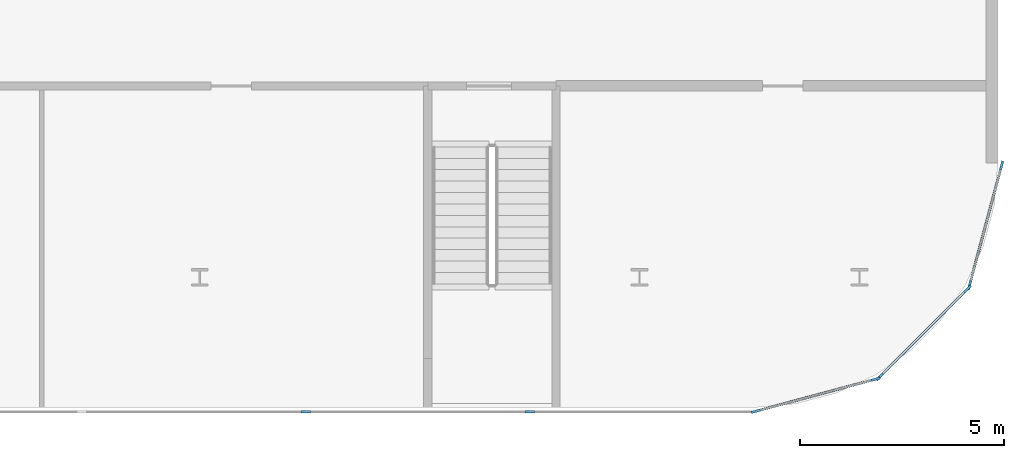
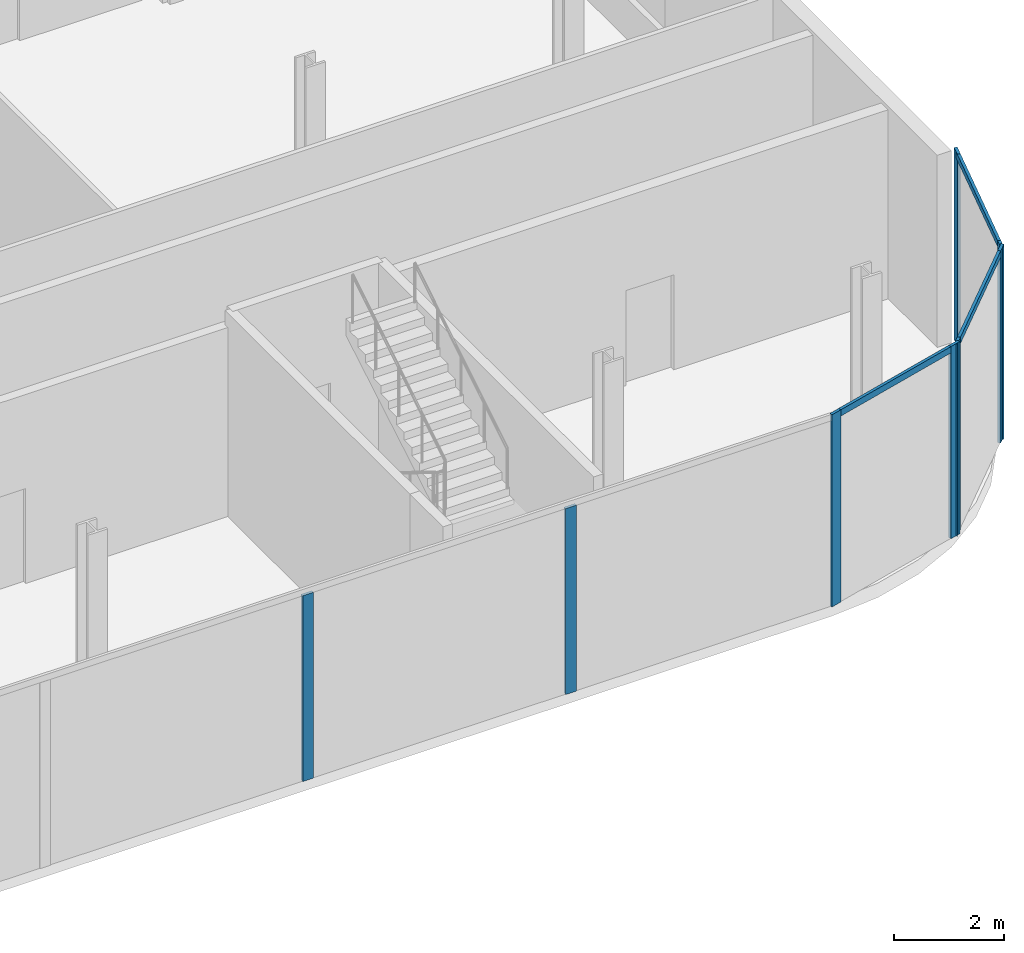
# One storey, part 13 of 47: 11 members, 4 elements without a shape of their own.
"""IFC4 building model written with IfcOpenShell, lengths in metres."""

from ifc_helpers import new_model, si_unit, direction, frame, origin, origin_2d, place, context, subcontext, project, spatial, rectangle, extrude, material, layer, layer_set, material_profile, profile_set, type_object, element, aggregate, save


model = new_model("IFC4")

# Units and contexts
model_context = context("Model", 3, precision=1e-05, world=origin(), true_north=direction((0.0, 1.0)))
body_context = subcontext(model_context, "Body", "Model", "MODEL_VIEW")
ifc_project = project(units=[si_unit("LENGTHUNIT", "METRE"), si_unit("AREAUNIT", "SQUARE_METRE"), si_unit("VOLUMEUNIT", "CUBIC_METRE"), si_unit("PLANEANGLEUNIT", "RADIAN"), si_unit("MASSUNIT", "GRAM", prefix="KILO")], contexts=[model_context])

# Site, building, storey
site_placement = place(None, origin())
site = spatial("IfcSite", under=ifc_project, at=site_placement, CompositionType="ELEMENT")
building_placement = place(site_placement, origin())
building = spatial("IfcBuilding", under=site, at=building_placement, Name="Kheshtan School and Residences Tower", CompositionType="ELEMENT")
storey_placement = place(building_placement, frame((0.0, 0.0, 17.0)))
storey = spatial("IfcBuildingStorey", under=building, at=storey_placement, Name="L03", CompositionType="ELEMENT", Elevation=17.0)

# Curtain wall, members
ifc_material_1 = material(Name="Clear low-e glass in thermally broken aluminium frame", Category="aluminium")
ifc_layer = layer(ifc_material_1, 0.22509765625)
ifc_layer_set = layer_set([ifc_layer], Name="Curtain wall CW-P")
curtain_wall_type = type_object("IfcCurtainWallType", Name="Curtain wall CW-P", PredefinedType="NOTDEFINED", material=ifc_layer_set)
curtain_wall_1_placement = place(storey_placement, origin())
curtain_wall_1 = element("IfcCurtainWall", 1, at=curtain_wall_1_placement, inside=storey, type_object=curtain_wall_type, Name="Curtain wall CWP9a", PredefinedType="NOTDEFINED")
ifc_material_2 = material(Name="Thermally broken aluminium, dark bronze anodised", Category="aluminium")
ifc_material_profile_1 = material_profile(ifc_material_2, rectangle(XDim=0.06005859375, YDim=0.22509765625, at=origin_2d()), Name="CW-P mullion 60x225")
ifc_profile_set_1 = profile_set([ifc_material_profile_1], Name="Thermally broken aluminium, dark bronze anodised")
member_type_1 = type_object("IfcMemberType", Name="CW-P mullion 60x225", PredefinedType="MULLION", material=ifc_profile_set_1)
member_1_placement = place(storey_placement, frame((132.0888671875, 15.945068359375, 0.0), z_axis=(0.0, 0.0, 1.0), x_axis=(0.965913556273, -0.258864833085, 0.0)))
member_1 = element("IfcMember", 2, at=member_1_placement, type_object=member_type_1, Name="CWP9a mullion 1", PredefinedType="MULLION", context=body_context, shape_type="SweptSolid", body=[
    extrude(rectangle(XDim=0.06005859375, YDim=0.22509765625, at=origin_2d()), origin(), (0.0, 0.0, 1.0), 4.25),
])
member_2_placement = place(storey_placement, frame((131.30029296875, 13.003173828125, 0.0), z_axis=(0.0, 0.0, 1.0), x_axis=(0.965913556273, -0.258864833085, 0.0)))
member_2 = element("IfcMember", 3, at=member_2_placement, type_object=member_type_1, Name="CWP9a mullion 2", PredefinedType="MULLION", context=body_context, shape_type="SweptSolid", body=[
    extrude(rectangle(XDim=0.06005859375, YDim=0.22509765625, at=origin_2d()), origin(), (0.0, 0.0, 1.0), 4.25),
])

curtain_wall_2_placement = place(storey_placement, origin())
curtain_wall_2 = element("IfcCurtainWall", 4, at=curtain_wall_2_placement, inside=storey, type_object=curtain_wall_type, Name="Curtain wall CWP10a", PredefinedType="NOTDEFINED")
member_3_placement = place(storey_placement, frame((131.24560546875, 12.907958984375, 0.0), z_axis=(0.0, 0.0, 1.0), x_axis=(0.707106781187, -0.707106781187, 0.0)))
member_3 = element("IfcMember", 5, at=member_3_placement, type_object=member_type_1, Name="CWP10a mullion 1", PredefinedType="MULLION", context=body_context, shape_type="SweptSolid", body=[
    extrude(rectangle(XDim=0.06005859375, YDim=0.22509765625, at=origin_2d()), origin(), (0.0, 0.0, 1.0), 4.25),
])
member_4_placement = place(storey_placement, frame((129.092041015625, 10.75439453125, 0.0), z_axis=(0.0, 0.0, 1.0), x_axis=(0.707106781187, -0.707106781187, 0.0)))
member_4 = element("IfcMember", 6, at=member_4_placement, type_object=member_type_1, Name="CWP10a mullion 2", PredefinedType="MULLION", context=body_context, shape_type="SweptSolid", body=[
    extrude(rectangle(XDim=0.06005859375, YDim=0.22509765625, at=origin_2d()), origin(), (0.0, 0.0, 1.0), 4.25),
])

curtain_wall_3_placement = place(storey_placement, origin())
curtain_wall_3 = element("IfcCurtainWall", 7, at=curtain_wall_3_placement, inside=storey, type_object=curtain_wall_type, Name="Curtain wall CWP11a", PredefinedType="NOTDEFINED")
member_5_placement = place(storey_placement, frame((128.996826171875, 10.69970703125, 0.0), z_axis=(0.0, 0.0, 1.0), x_axis=(0.258864833085, -0.965913556273, 0.0)))
member_5 = element("IfcMember", 8, at=member_5_placement, type_object=member_type_1, Name="CWP11a mullion 1", PredefinedType="MULLION", context=body_context, shape_type="SweptSolid", body=[
    extrude(rectangle(XDim=0.06005859375, YDim=0.22509765625, at=origin_2d()), origin(), (0.0, 0.0, 1.0), 4.25),
])
member_6_placement = place(storey_placement, frame((126.054931640625, 9.9111328125, 0.0), z_axis=(0.0, 0.0, 1.0), x_axis=(0.258864833085, -0.965913556273, 0.0)))
member_6 = element("IfcMember", 9, at=member_6_placement, type_object=member_type_1, Name="CWP11a mullion 2", PredefinedType="MULLION", context=body_context, shape_type="SweptSolid", body=[
    extrude(rectangle(XDim=0.06005859375, YDim=0.22509765625, at=origin_2d()), origin(), (0.0, 0.0, 1.0), 4.25),
])

curtain_wall_4_placement = place(storey_placement, origin())
curtain_wall_4 = element("IfcCurtainWall", 10, at=curtain_wall_4_placement, inside=storey, type_object=curtain_wall_type, Name="Curtain wall CWP12a", PredefinedType="NOTDEFINED")
member_7_placement = place(storey_placement, frame((120.501708984375, 9.89990234375, 0.0), z_axis=(0.0, 0.0, 1.0), x_axis=(0.0, -1.0, 0.0)))
member_7 = element("IfcMember", 11, at=member_7_placement, type_object=member_type_1, Name="CWP12a mullion 2", PredefinedType="MULLION", context=body_context, shape_type="SweptSolid", body=[
    extrude(rectangle(XDim=0.06005859375, YDim=0.22509765625, at=origin_2d()), origin(), (0.0, 0.0, 1.0), 4.110107421875),
])
member_8_placement = place(storey_placement, frame((115.003662109375, 9.89990234375, 0.0), z_axis=(0.0, 0.0, 1.0), x_axis=(0.0, -1.0, 0.0)))
member_8 = element("IfcMember", 12, at=member_8_placement, type_object=member_type_1, Name="CWP12a mullion 3", PredefinedType="MULLION", context=body_context, shape_type="SweptSolid", body=[
    extrude(rectangle(XDim=0.06005859375, YDim=0.22509765625, at=origin_2d()), origin(), (0.0, 0.0, 1.0), 4.110107421875),
])
aggregate(curtain_wall_4, [member_7, member_8])

# Member
ifc_material_profile_2 = material_profile(ifc_material_2, rectangle(XDim=0.06005859375, YDim=0.139892578125, at=origin_2d()), Name="CW-P transom 60x140")
ifc_profile_set_2 = profile_set([ifc_material_profile_2], Name="Thermally broken aluminium, dark bronze anodised")
member_type_2 = type_object("IfcMemberType", Name="CW-P transom 60x140", PredefinedType="USERDEFINED", material=ifc_profile_set_2)
member_9_placement = place(storey_placement, frame((132.0810546875, 15.916259765625, 4.179931640625), z_axis=(-0.258853238275, -0.965916663607, 0.0), x_axis=(0.965916663607, -0.258853238275, 0.0)))
member_9 = element("IfcMember", 13, at=member_9_placement, type_object=member_type_2, Name="CWP9a transom 1", ObjectType="TRANSOM", PredefinedType="USERDEFINED", context=body_context, shape_type="SweptSolid", body=[
    extrude(rectangle(XDim=0.06005859375, YDim=0.139892578125, at=origin_2d()), origin(), (0.0, 0.0, 1.0), 2.986083984375),
])

aggregate(curtain_wall_1, [member_1, member_2, member_9])

member_10_placement = place(storey_placement, frame((131.224365234375, 12.886962890625, 4.179931640625), z_axis=(-0.707106781187, -0.707106781187, 0.0), x_axis=(0.707106781187, -0.707106781187, 0.0)))
member_10 = element("IfcMember", 14, at=member_10_placement, type_object=member_type_2, Name="CWP10a transom 1", ObjectType="TRANSOM", PredefinedType="USERDEFINED", context=body_context, shape_type="SweptSolid", body=[
    extrude(rectangle(XDim=0.06005859375, YDim=0.139892578125, at=origin_2d()), origin(), (0.0, 0.0, 1.0), 2.98583984375),
])

aggregate(curtain_wall_2, [member_3, member_4, member_10])

member_11_placement = place(storey_placement, frame((128.968017578125, 10.69189453125, 4.179931640625), z_axis=(-0.965916663607, -0.258853238275, 0.0), x_axis=(0.258853238275, -0.965916663607, 0.0)))
member_11 = element("IfcMember", 15, at=member_11_placement, type_object=member_type_2, Name="CWP11a transom 1", ObjectType="TRANSOM", PredefinedType="USERDEFINED", context=body_context, shape_type="SweptSolid", body=[
    extrude(rectangle(XDim=0.06005859375, YDim=0.139892578125, at=origin_2d()), origin(), (0.0, 0.0, 1.0), 2.986083984375),
])

aggregate(curtain_wall_3, [member_5, member_6, member_11])

save(model, "model.ifc")
